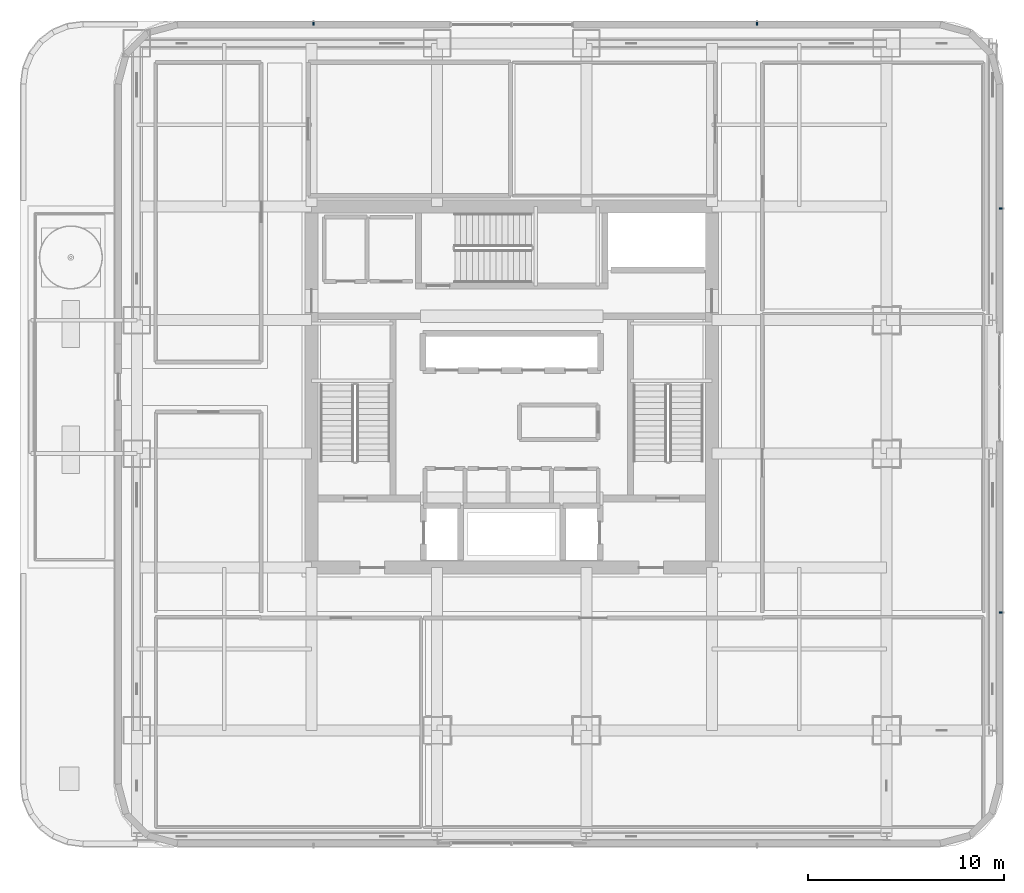
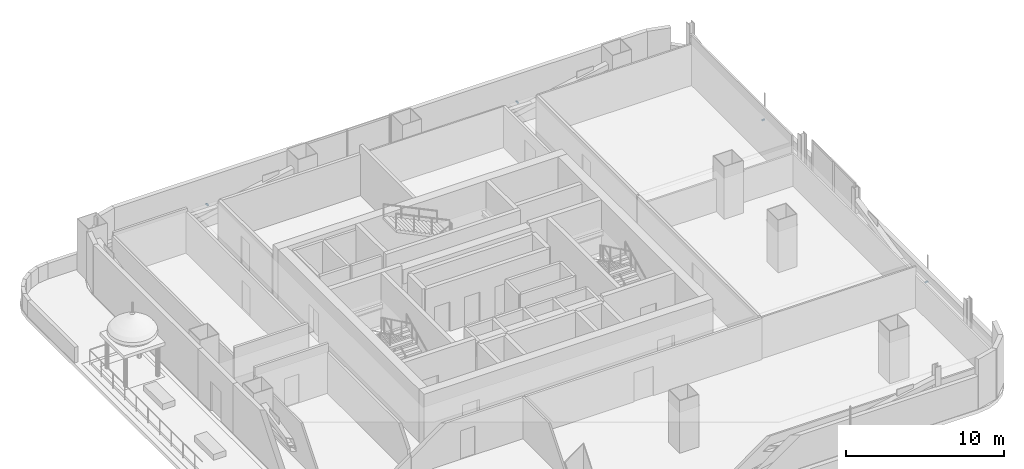
# One storey, part 15 of 27: 4 discrete accessories.
"""IFC4 building model written with IfcOpenShell, lengths in metres."""

from ifc_helpers import new_model, si_unit, direction, frame, origin, origin_2d, place, context, subcontext, project, spatial, rectangle, extrude, material, type_object, element, save


model = new_model("IFC4")

# Units and contexts
model_context = context("Model", 3, precision=1e-05, world=origin(), true_north=direction((0.0, 1.0)))
body_context = subcontext(model_context, "Body", "Model", "MODEL_VIEW")
ifc_project = project(units=[si_unit("LENGTHUNIT", "METRE"), si_unit("AREAUNIT", "SQUARE_METRE"), si_unit("VOLUMEUNIT", "CUBIC_METRE"), si_unit("PLANEANGLEUNIT", "RADIAN"), si_unit("MASSUNIT", "GRAM", prefix="KILO")], contexts=[model_context])

# Site, building, storey
site_placement = place(None, origin())
site = spatial("IfcSite", under=ifc_project, at=site_placement, CompositionType="ELEMENT")
building_placement = place(site_placement, origin())
building = spatial("IfcBuilding", under=site, at=building_placement, Name="Punatoya Terracotta Tower", CompositionType="ELEMENT")
storey_placement = place(building_placement, frame((0.0, 0.0, 204.60009765625)))
storey = spatial("IfcBuildingStorey", under=building, at=storey_placement, Name="L48", CompositionType="ELEMENT", Elevation=204.60009765625)

# Discrete accessories
ifc_material = material(Name="Steel S355", Category="steel")
discrete_accessory_type = type_object("IfcDiscreteAccessoryType", Name="ACC-BRK-220", PredefinedType="BRACKET", material=ifc_material)
for number, where, z_axis, x_axis, name in (
    (1, (24.949951171875, -11.493408203125, 1.449951171875), (0.0, 0.0, 1.0), (0.0, 1.0, 0.0), "L48 Jali Fin Support Bracket E1"),
    (2, (24.949951171875, 9.093505859375, 1.449951171875), (0.0, 0.0, 1.0), (0.0, 1.0, 0.0), "L48 Jali Fin Support Bracket E2"),
    (3, (12.493408203125, 18.550048828125, 1.449951171875), (0.0, 0.0, 1.0), (-1.0, 0.0, 0.0), "L48 Jali Fin Support Bracket N1"),
    (4, (-10.093505859375, 18.550048828125, 1.449951171875), (0.0, 0.0, 1.0), (-1.0, 0.0, 0.0), "L48 Jali Fin Support Bracket N2"),
):
    element("IfcDiscreteAccessory", number, at=place(storey_placement, frame(where, z_axis=z_axis, x_axis=x_axis)), inside=storey, type_object=discrete_accessory_type, Name=name, PredefinedType="BRACKET", context=body_context, shape_type="SweptSolid", body=[
        extrude(rectangle(XDim=0.090087890625, YDim=0.219970703125, at=origin_2d()), origin(), (0.0, 0.0, 1.0), 0.10009765625),
    ])

save(model, "model.ifc")
